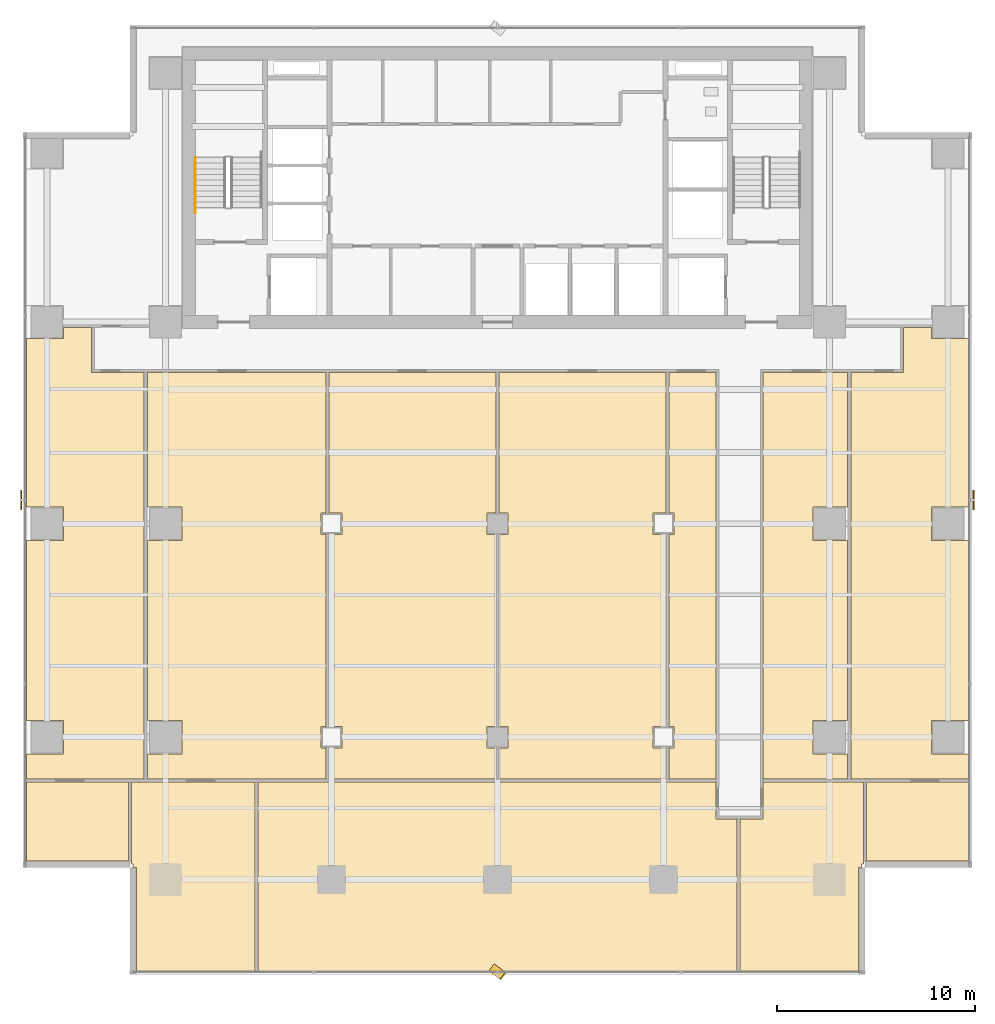
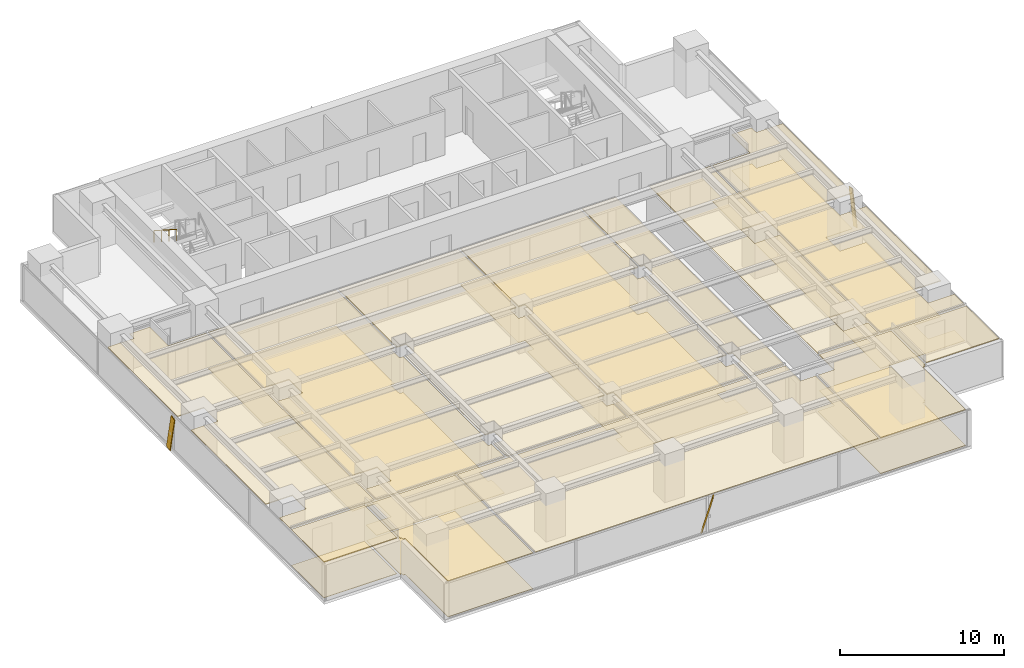
# One storey, part 24 of 28: 18 coverings, 3 shading devices, 1 railing.
"""IFC4 building model written with IfcOpenShell, lengths in metres."""

from ifc_helpers import new_model, si_unit, direction, frame, origin, origin_2d, place, context, subcontext, project, spatial, polyline, rectangle, outline, extrude, source, transform, mapped, material, layer, layer_set, material_profile, profile_set, type_object, element, save


model = new_model("IFC4")

# Units and contexts
model_context = context("Model", 3, precision=1e-05, world=origin(), true_north=direction((0.0, 1.0)))
body_context = subcontext(model_context, "Body", "Model", "MODEL_VIEW")
ifc_project = project(units=[si_unit("LENGTHUNIT", "METRE"), si_unit("AREAUNIT", "SQUARE_METRE"), si_unit("VOLUMEUNIT", "CUBIC_METRE"), si_unit("PLANEANGLEUNIT", "RADIAN"), si_unit("MASSUNIT", "GRAM", prefix="KILO")], contexts=[model_context])

# Site, building, storey
site_placement = place(None, origin())
site = spatial("IfcSite", under=ifc_project, at=site_placement, CompositionType="ELEMENT")
building_placement = place(site_placement, origin())
building = spatial("IfcBuilding", under=site, at=building_placement, Name="Sumidabori Civic Tower", CompositionType="ELEMENT")
storey_placement = place(building_placement, frame((0.0, 0.0, 185.60009765625)))
storey = spatial("IfcBuildingStorey", under=building, at=storey_placement, Name="L48", CompositionType="ELEMENT", Elevation=185.60009765625)

# Coverings
ifc_material_1 = material(Name="Gypsum Coffered Acoustic Ceiling")
ifc_layer_1 = layer(ifc_material_1, 0.06494140625, Name="Gypsum Coffered Acoustic Ceiling")
ifc_layer_set_1 = layer_set([ifc_layer_1], Name="Gypsum Coffered Acoustic Ceiling")
covering_type_1 = type_object("IfcCoveringType", Name="CV-CEIL-AC4", PredefinedType="CEILING", material=ifc_layer_set_1)
covering_1_placement = place(storey_placement, frame((0.0, 0.0, 2.64990234375)))
element("IfcCovering", 1, at=covering_1_placement, inside=storey, type_object=covering_type_1, Name="Room Acoustic Ceiling L48-02", PredefinedType="CEILING", context=body_context, shape_type="SweptSolid", body=[
    extrude(outline(polyline([(-23.830078125, -0.840087890625), (-21.9599609375, -0.840087890625), (-21.9599609375, 0.840087890625), (-23.830078125, 0.840087890625), (-23.830078125, 9.360107421875), (-21.9599609375, 9.360107421875), (-21.9599609375, 9.919921875), (-20.5400390625, 9.919921875), (-20.5400390625, 7.659912109375), (-17.8798828125, 7.659912109375), (-17.8798828125, -12.919921875), (-23.830078125, -12.919921875), (-23.830078125, -11.639892578125), (-21.9599609375, -11.639892578125), (-21.9599609375, -9.9599609375), (-23.830078125, -9.9599609375), (-23.830078125, -0.840087890625)])), origin(), (0.0, 0.0, 1.0), 0.06494140625),
])
covering_2_placement = place(storey_placement, frame((0.0, 0.0, 2.64990234375)))
element("IfcCovering", 2, at=covering_2_placement, inside=storey, type_object=covering_type_1, Name="Room Acoustic Ceiling L48-03", PredefinedType="CEILING", context=body_context, shape_type="SweptSolid", body=[
    extrude(outline(polyline([(23.830078125, 0.840087890625), (21.9599609375, 0.840087890625), (21.9599609375, -0.840087890625), (23.830078125, -0.840087890625), (23.830078125, -9.9599609375), (21.9599609375, -9.9599609375), (21.9599609375, -11.639892578125), (23.830078125, -11.639892578125), (23.830078125, -12.919921875), (17.8798828125, -12.919921875), (17.8798828125, 7.659912109375), (20.5400390625, 7.659912109375), (20.5400390625, 9.919921875), (21.9599609375, 9.919921875), (21.9599609375, 9.360107421875), (23.830078125, 9.360107421875), (23.830078125, 0.840087890625)])), origin(), (0.0, 0.0, 1.0), 0.06494140625),
])
covering_3_placement = place(storey_placement, frame((0.0, 0.0, 2.64990234375)))
element("IfcCovering", 3, at=covering_3_placement, inside=storey, type_object=covering_type_1, Name="Room Acoustic Ceiling L48-04", PredefinedType="CEILING", context=body_context, shape_type="SweptSolid", body=[
    extrude(outline(polyline([(13.43994140625, -12.919921875), (13.43994140625, 7.659912109375), (17.719970703125, 7.659912109375), (17.719970703125, 0.840087890625), (15.9599609375, 0.840087890625), (15.9599609375, -0.840087890625), (17.719970703125, -0.840087890625), (17.719970703125, -9.9599609375), (15.9599609375, -9.9599609375), (15.9599609375, -11.639892578125), (17.719970703125, -11.639892578125), (17.719970703125, -12.919921875), (13.43994140625, -12.919921875)])), origin(), (0.0, 0.0, 1.0), 0.06494140625),
])
covering_4_placement = place(storey_placement, frame((0.0, 0.0, 2.64990234375)))
element("IfcCovering", 4, at=covering_4_placement, inside=storey, type_object=covering_type_1, Name="Room Acoustic Ceiling L48-05", PredefinedType="CEILING", context=body_context, shape_type="SweptSolid", body=[
    extrude(outline(polyline([(-17.719970703125, -11.639892578125), (-15.9599609375, -11.639892578125), (-15.9599609375, -9.9599609375), (-17.719970703125, -9.9599609375), (-17.719970703125, -0.840087890625), (-15.9599609375, -0.840087890625), (-15.9599609375, 0.840087890625), (-17.719970703125, 0.840087890625), (-17.719970703125, 7.659912109375), (-8.679931640625, 7.659912109375), (-8.679931640625, 0.5400390625), (-8.93994140625, 0.5400390625), (-8.93994140625, -0.5400390625), (-8.679931640625, -0.5400390625), (-8.679931640625, -10.260009765625), (-8.93994140625, -10.260009765625), (-8.93994140625, -11.340087890625), (-8.679931640625, -11.340087890625), (-8.679931640625, -12.919921875), (-17.719970703125, -12.919921875), (-17.719970703125, -11.639892578125)])), origin(), (0.0, 0.0, 1.0), 0.06494140625),
])
covering_5_placement = place(storey_placement, frame((0.0, 0.0, 2.64990234375)))
element("IfcCovering", 5, at=covering_5_placement, inside=storey, type_object=covering_type_1, Name="Room Acoustic Ceiling L48-06", PredefinedType="CEILING", context=body_context, shape_type="SweptSolid", body=[
    extrude(outline(polyline([(-8.52001953125, -12.919921875), (-8.52001953125, -11.340087890625), (-7.860107421875, -11.340087890625), (-7.860107421875, -10.260009765625), (-8.52001953125, -10.260009765625), (-8.52001953125, -0.5400390625), (-7.860107421875, -0.5400390625), (-7.860107421875, 0.5400390625), (-8.52001953125, 0.5400390625), (-8.52001953125, 7.659912109375), (-0.080078125, 7.659912109375), (-0.080078125, 0.5400390625), (-0.5400390625, 0.5400390625), (-0.5400390625, -0.5400390625), (-0.080078125, -0.5400390625), (-0.080078125, -10.260009765625), (-0.5400390625, -10.260009765625), (-0.5400390625, -11.340087890625), (-0.080078125, -11.340087890625), (-0.080078125, -12.919921875), (-8.52001953125, -12.919921875)])), origin(), (0.0, 0.0, 1.0), 0.06494140625),
])
covering_6_placement = place(storey_placement, frame((0.0, 0.0, 2.64990234375)))
element("IfcCovering", 6, at=covering_6_placement, inside=storey, type_object=covering_type_1, Name="Room Acoustic Ceiling L48-07", PredefinedType="CEILING", context=body_context, shape_type="SweptSolid", body=[
    extrude(outline(polyline([(0.080078125, -12.919921875), (0.080078125, -11.340087890625), (0.5400390625, -11.340087890625), (0.5400390625, -10.260009765625), (0.080078125, -10.260009765625), (0.080078125, -0.5400390625), (0.5400390625, -0.5400390625), (0.5400390625, 0.5400390625), (0.080078125, 0.5400390625), (0.080078125, 7.659912109375), (8.52001953125, 7.659912109375), (8.52001953125, 0.5400390625), (7.860107421875, 0.5400390625), (7.860107421875, -0.5400390625), (8.52001953125, -0.5400390625), (8.52001953125, -10.260009765625), (7.860107421875, -10.260009765625), (7.860107421875, -11.340087890625), (8.52001953125, -11.340087890625), (8.52001953125, -12.919921875), (0.080078125, -12.919921875)])), origin(), (0.0, 0.0, 1.0), 0.06494140625),
])
covering_7_placement = place(storey_placement, frame((0.0, 0.0, 2.64990234375)))
element("IfcCovering", 7, at=covering_7_placement, inside=storey, type_object=covering_type_1, Name="Room Acoustic Ceiling L48-08", PredefinedType="CEILING", context=body_context, shape_type="SweptSolid", body=[
    extrude(outline(polyline([(8.679931640625, -12.919921875), (8.679931640625, -11.340087890625), (8.93994140625, -11.340087890625), (8.93994140625, -10.260009765625), (8.679931640625, -10.260009765625), (8.679931640625, -0.5400390625), (8.93994140625, -0.5400390625), (8.93994140625, 0.5400390625), (8.679931640625, 0.5400390625), (8.679931640625, 7.659912109375), (11.06005859375, 7.659912109375), (11.06005859375, -12.919921875), (8.679931640625, -12.919921875)])), origin(), (0.0, 0.0, 1.0), 0.06494140625),
])
covering_8_placement = place(storey_placement, frame((0.0, 0.0, 2.64990234375)))
element("IfcCovering", 8, at=covering_8_placement, inside=storey, type_object=covering_type_1, Name="Room Acoustic Ceiling L48-09", PredefinedType="CEILING", context=body_context, shape_type="SweptSolid", body=[
    extrude(outline(polyline([(-23.830078125, -17.072021484375), (-23.830078125, -13.080078125), (-18.679931640625, -13.080078125), (-18.679931640625, -17.072021484375), (-23.830078125, -17.072021484375)])), origin(), (0.0, 0.0, 1.0), 0.06494140625),
])
covering_9_placement = place(storey_placement, frame((0.0, 0.0, 2.64990234375)))
element("IfcCovering", 9, at=covering_9_placement, inside=storey, type_object=covering_type_1, Name="Room Acoustic Ceiling L48-10", PredefinedType="CEILING", context=body_context, shape_type="SweptSolid", body=[
    extrude(outline(polyline([(23.830078125, -13.080078125), (23.830078125, -17.072021484375), (18.679931640625, -17.072021484375), (18.679931640625, -13.080078125), (23.830078125, -13.080078125)])), origin(), (0.0, 0.0, 1.0), 0.06494140625),
])
covering_10_placement = place(storey_placement, frame((0.0, 0.0, 2.64990234375)))
element("IfcCovering", 10, at=covering_10_placement, inside=storey, type_object=covering_type_1, Name="Room Acoustic Ceiling L48-11", PredefinedType="CEILING", context=body_context, shape_type="SweptSolid", body=[
    extrude(outline(polyline([(-18.52001953125, -17.22998046875), (-18.52001953125, -13.080078125), (-12.280029296875, -13.080078125), (-12.280029296875, -22.6298828125), (-18.27197265625, -22.6298828125), (-18.27197265625, -17.39208984375), (-18.429931640625, -17.39208984375), (-18.429931640625, -17.22998046875), (-18.52001953125, -17.22998046875)])), origin(), (0.0, 0.0, 1.0), 0.06494140625),
])
covering_11_placement = place(storey_placement, frame((0.0, 0.0, 2.64990234375)))
element("IfcCovering", 11, at=covering_11_placement, inside=storey, type_object=covering_type_1, Name="Room Acoustic Ceiling L48-12", PredefinedType="CEILING", context=body_context, shape_type="SweptSolid", body=[
    extrude(outline(polyline([(-12.1201171875, -22.6298828125), (-12.1201171875, -13.080078125), (11.06005859375, -13.080078125), (11.06005859375, -14.93994140625), (12.1201171875, -14.93994140625), (12.1201171875, -22.6298828125), (-12.1201171875, -22.6298828125)])), origin(), (0.0, 0.0, 1.0), 0.06494140625),
])
covering_12_placement = place(storey_placement, frame((0.0, 0.0, 2.64990234375)))
element("IfcCovering", 12, at=covering_12_placement, inside=storey, type_object=covering_type_1, Name="Room Acoustic Ceiling L48-13", PredefinedType="CEILING", context=body_context, shape_type="SweptSolid", body=[
    extrude(outline(polyline([(18.52001953125, -13.080078125), (18.52001953125, -17.22998046875), (18.429931640625, -17.22998046875), (18.429931640625, -17.39208984375), (18.27197265625, -17.39208984375), (18.27197265625, -22.6298828125), (12.280029296875, -22.6298828125), (12.280029296875, -14.93994140625), (13.43994140625, -14.93994140625), (13.43994140625, -13.080078125), (18.52001953125, -13.080078125)])), origin(), (0.0, 0.0, 1.0), 0.06494140625),
])
ifc_material_2 = material(Name="Honed Terrazzo Tile Flooring")
ifc_layer_2 = layer(ifc_material_2, 0.030029296875, Name="Honed Terrazzo Tile Flooring")
ifc_layer_set_2 = layer_set([ifc_layer_2], Name="Honed Terrazzo Tile Flooring")
covering_type_2 = type_object("IfcCoveringType", Name="CV-FLR-TER", PredefinedType="FLOORING", material=ifc_layer_set_2)
covering_13_placement = place(storey_placement, origin())
element("IfcCovering", 13, at=covering_13_placement, inside=storey, type_object=covering_type_2, Name="Room Terrazzo Floor L48-03", PredefinedType="FLOORING", context=body_context, shape_type="SweptSolid", body=[
    extrude(outline(polyline([(23.830078125, 0.840087890625), (21.9599609375, 0.840087890625), (21.9599609375, -0.840087890625), (23.830078125, -0.840087890625), (23.830078125, -9.9599609375), (21.9599609375, -9.9599609375), (21.9599609375, -11.639892578125), (23.830078125, -11.639892578125), (23.830078125, -12.919921875), (17.8798828125, -12.919921875), (17.8798828125, 7.659912109375), (20.5400390625, 7.659912109375), (20.5400390625, 9.919921875), (21.9599609375, 9.919921875), (21.9599609375, 9.360107421875), (23.830078125, 9.360107421875), (23.830078125, 0.840087890625)])), origin(), (0.0, 0.0, 1.0), 0.02978515625),
])
covering_14_placement = place(storey_placement, origin())
element("IfcCovering", 14, at=covering_14_placement, inside=storey, type_object=covering_type_2, Name="Room Terrazzo Floor L48-05", PredefinedType="FLOORING", context=body_context, shape_type="SweptSolid", body=[
    extrude(outline(polyline([(-17.719970703125, -11.639892578125), (-15.9599609375, -11.639892578125), (-15.9599609375, -9.9599609375), (-17.719970703125, -9.9599609375), (-17.719970703125, -0.840087890625), (-15.9599609375, -0.840087890625), (-15.9599609375, 0.840087890625), (-17.719970703125, 0.840087890625), (-17.719970703125, 7.659912109375), (-8.679931640625, 7.659912109375), (-8.679931640625, 0.5400390625), (-8.93994140625, 0.5400390625), (-8.93994140625, -0.5400390625), (-8.679931640625, -0.5400390625), (-8.679931640625, -10.260009765625), (-8.93994140625, -10.260009765625), (-8.93994140625, -11.340087890625), (-8.679931640625, -11.340087890625), (-8.679931640625, -12.919921875), (-17.719970703125, -12.919921875), (-17.719970703125, -11.639892578125)])), origin(), (0.0, 0.0, 1.0), 0.02978515625),
])
covering_15_placement = place(storey_placement, origin())
element("IfcCovering", 15, at=covering_15_placement, inside=storey, type_object=covering_type_2, Name="Room Terrazzo Floor L48-07", PredefinedType="FLOORING", context=body_context, shape_type="SweptSolid", body=[
    extrude(outline(polyline([(0.080078125, -12.919921875), (0.080078125, -11.340087890625), (0.5400390625, -11.340087890625), (0.5400390625, -10.260009765625), (0.080078125, -10.260009765625), (0.080078125, -0.5400390625), (0.5400390625, -0.5400390625), (0.5400390625, 0.5400390625), (0.080078125, 0.5400390625), (0.080078125, 7.659912109375), (8.52001953125, 7.659912109375), (8.52001953125, 0.5400390625), (7.860107421875, 0.5400390625), (7.860107421875, -0.5400390625), (8.52001953125, -0.5400390625), (8.52001953125, -10.260009765625), (7.860107421875, -10.260009765625), (7.860107421875, -11.340087890625), (8.52001953125, -11.340087890625), (8.52001953125, -12.919921875), (0.080078125, -12.919921875)])), origin(), (0.0, 0.0, 1.0), 0.02978515625),
])
covering_16_placement = place(storey_placement, origin())
element("IfcCovering", 16, at=covering_16_placement, inside=storey, type_object=covering_type_2, Name="Room Terrazzo Floor L48-09", PredefinedType="FLOORING", context=body_context, shape_type="SweptSolid", body=[
    extrude(outline(polyline([(-23.830078125, -17.072021484375), (-23.830078125, -13.080078125), (-18.679931640625, -13.080078125), (-18.679931640625, -17.072021484375), (-23.830078125, -17.072021484375)])), origin(), (0.0, 0.0, 1.0), 0.02978515625),
])
covering_17_placement = place(storey_placement, origin())
element("IfcCovering", 17, at=covering_17_placement, inside=storey, type_object=covering_type_2, Name="Room Terrazzo Floor L48-11", PredefinedType="FLOORING", context=body_context, shape_type="SweptSolid", body=[
    extrude(outline(polyline([(-18.52001953125, -17.22998046875), (-18.52001953125, -13.080078125), (-12.280029296875, -13.080078125), (-12.280029296875, -22.6298828125), (-18.27197265625, -22.6298828125), (-18.27197265625, -17.39208984375), (-18.429931640625, -17.39208984375), (-18.429931640625, -17.22998046875), (-18.52001953125, -17.22998046875)])), origin(), (0.0, 0.0, 1.0), 0.02978515625),
])
covering_18_placement = place(storey_placement, origin())
element("IfcCovering", 18, at=covering_18_placement, inside=storey, type_object=covering_type_2, Name="Room Terrazzo Floor L48-13", PredefinedType="FLOORING", context=body_context, shape_type="SweptSolid", body=[
    extrude(outline(polyline([(18.52001953125, -13.080078125), (18.52001953125, -17.22998046875), (18.429931640625, -17.22998046875), (18.429931640625, -17.39208984375), (18.27197265625, -17.39208984375), (18.27197265625, -22.6298828125), (12.280029296875, -22.6298828125), (12.280029296875, -14.93994140625), (13.43994140625, -14.93994140625), (13.43994140625, -13.080078125), (18.52001953125, -13.080078125)])), origin(), (0.0, 0.0, 1.0), 0.02978515625),
])

# Railing
ifc_material_3 = material(Name="Stainless Steel Hairline Finish", Category="steel")
railing_type = type_object("IfcRailingType", Name="RL-HANDRAIL", PredefinedType="HANDRAIL", material=ifc_material_3)
railing_placement = place(storey_placement, frame((-15.2900390625, 18.52001953125, 1.97998046875)))
element("IfcRailing", 19, at=railing_placement, inside=storey, type_object=railing_type, Name="L48 ST-1 stair handrail 2", PredefinedType="HANDRAIL", context=body_context, shape_type="SweptSolid", body=[
    extrude(rectangle(XDim=0.048095703125, YDim=0.048095703125, at=origin_2d()), frame((0.0, 0.0, 0.8759765625), z_axis=(0.0, -0.840675598268, 0.541539046124), x_axis=(1.0, 0.0, 0.0)), (0.0, 0.0, 1.0), 3.330810546875),
    extrude(rectangle(XDim=0.0419921875, YDim=0.0419921875, at=origin_2d()), origin(), (0.0, 0.0, 1.0), 0.851806640625),
    extrude(rectangle(XDim=0.0419921875, YDim=0.0419921875, at=origin_2d()), frame((0.0, -0.933349609375, 0.601318359375)), (0.0, 0.0, 1.0), 0.851806640625),
    extrude(rectangle(XDim=0.0419921875, YDim=0.0419921875, at=origin_2d()), frame((0.0, -1.86669921875, 1.202392578125)), (0.0, 0.0, 1.0), 0.851806640625),
    extrude(rectangle(XDim=0.0419921875, YDim=0.0419921875, at=origin_2d()), frame((0.0, -2.800048828125, 1.8037109375)), (0.0, 0.0, 1.0), 0.851806640625),
])

# Shading devices
ifc_material_4 = material(Name="Anodised Bronze Aluminium AW-6063-T6", Category="aluminium")
ifc_material_profile = material_profile(ifc_material_4, rectangle(XDim=0.06005859375, YDim=0.449951171875, at=origin_2d()), Name="BRONZE FIN 450x60")
ifc_profile_set = profile_set([ifc_material_profile], Name="Anodised Bronze Aluminium AW-6063-T6")
shading_device_type = type_object("IfcShadingDeviceType", Name="SH-FIN-450", PredefinedType="USERDEFINED", material=ifc_profile_set)
shared_shape_1 = source(origin(), body_context, "Body", "SweptSolid", [
    extrude(rectangle(XDim=0.06005859375, YDim=0.449951171875, at=origin_2d()), origin(), (0.0, 0.0, 1.0), 2.678955078125),
])
for number, where, z_axis, x_axis, name in (
    (20, (24.090087890625, 0.919921875, 0.02001953125), (0.0, 0.209049858542, 0.977904983443), (-1.0, 0.0, 0.0), "Bronze Anodised Diagonal Fin L48-02"),
    (21, (-24.090087890625, 1.47998046875, 0.02001953125), (0.0, -0.209049858542, 0.977904983443), (-1.0, 0.0, 0.0), "Bronze Anodised Diagonal Fin L48-02"),
):
    element("IfcShadingDevice", number, at=place(storey_placement, frame(where, z_axis=z_axis, x_axis=x_axis)), inside=storey, type_object=shading_device_type, Name=name, ObjectType="FIN", PredefinedType="USERDEFINED", context=body_context, shape_type="MappedRepresentation", body=[
        mapped(shared_shape_1, transform((0.0, 0.0, 0.0), x_axis=(1.0, 0.0, 0.0), y_axis=(0.0, 1.0, 0.0), z_axis=(0.0, 0.0, 1.0), scale=1.0)),
    ])
shared_shape_2 = source(origin(), body_context, "Body", "SweptSolid", [
    extrude(rectangle(XDim=0.06005859375, YDim=0.449951171875, at=origin_2d()), origin(), (0.0, 0.0, 1.0), 2.711669921875),
])
shading_device_placement = place(storey_placement, frame((-0.280029296875, -22.469970703125, 0.02001953125), z_axis=(0.206528258987, -0.154851179363, 0.966109305664), x_axis=(0.772968305533, -0.579557753059, -0.258133317319)))
element("IfcShadingDevice", 22, at=shading_device_placement, inside=storey, type_object=shading_device_type, Name="Bronze Anodised Diagonal Fin L48-02", ObjectType="FIN", PredefinedType="USERDEFINED", context=body_context, shape_type="MappedRepresentation", body=[
    mapped(shared_shape_2, transform((0.0, 0.0, 0.0), x_axis=(1.0, 0.0, 0.0), y_axis=(0.0, 1.0, 0.0), z_axis=(0.0, 0.0, 1.0), scale=1.0)),
])

save(model, "model.ifc")
